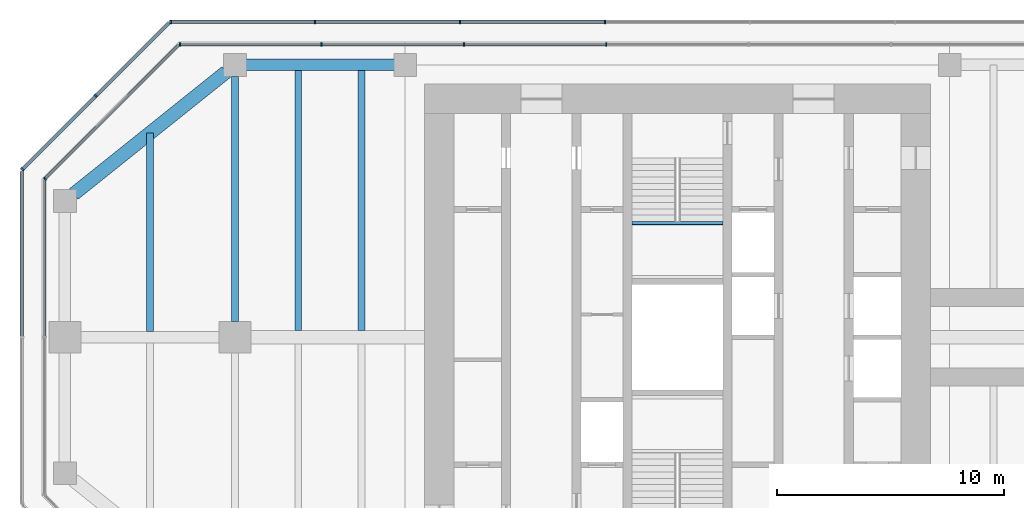
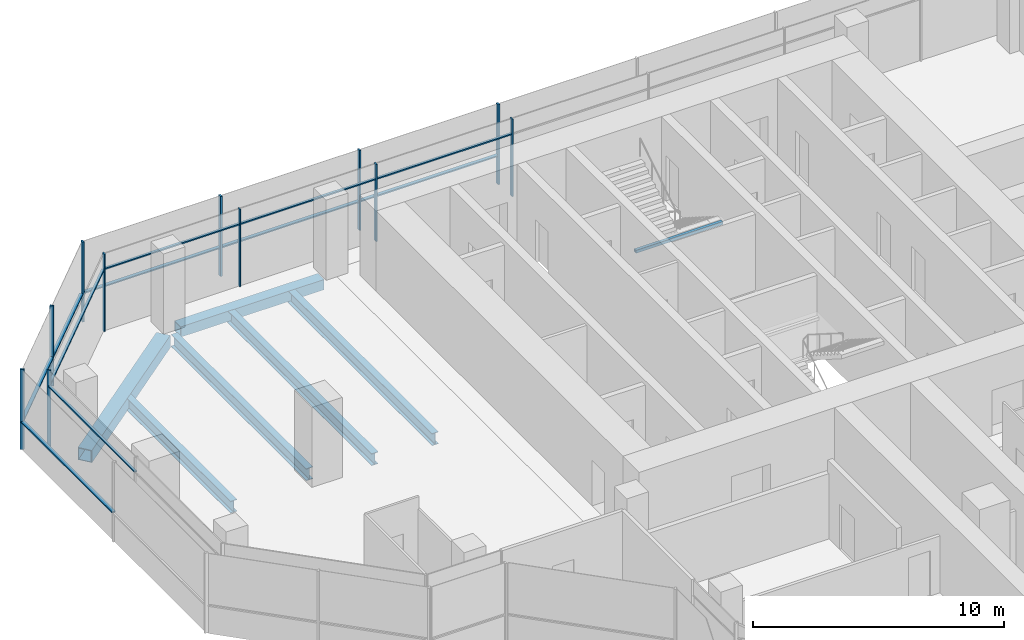
# One storey, part 6 of 15: 22 members, 7 beams, 6 elements without a shape of their own.
"""IFC4 building model written with IfcOpenShell, lengths in metres."""

from ifc_helpers import new_model, si_unit, direction, frame, origin, origin_2d, place, context, subcontext, project, spatial, rectangle, hollow_rectangle, i_section, extrude, material, material_profile, profile_set, type_object, element, aggregate, save


model = new_model("IFC4")

# Units and contexts
model_context = context("Model", 3, precision=1e-05, world=origin(), true_north=direction((0.0, 1.0)))
body_context = subcontext(model_context, "Body", "Model", "MODEL_VIEW")
ifc_project = project(units=[si_unit("LENGTHUNIT", "METRE"), si_unit("AREAUNIT", "SQUARE_METRE"), si_unit("VOLUMEUNIT", "CUBIC_METRE"), si_unit("PLANEANGLEUNIT", "RADIAN"), si_unit("MASSUNIT", "GRAM", prefix="KILO")], contexts=[model_context])

# Site, building, storey
site_placement = place(None, origin())
site = spatial("IfcSite", under=ifc_project, at=site_placement, CompositionType="ELEMENT")
building_placement = place(site_placement, origin())
building = spatial("IfcBuilding", under=site, at=building_placement, Name="Mizan Broadcast Tower", CompositionType="ELEMENT")
storey_placement = place(building_placement, frame((0.0, 0.0, 279.0)))
storey = spatial("IfcBuildingStorey", under=building, at=storey_placement, Name="L66", CompositionType="ELEMENT", Elevation=279.0)

# Beams
ifc_material_1 = material(Name="Steel S355", Category="steel")
ifc_material_profile_1 = material_profile(ifc_material_1, hollow_rectangle(XDim=0.5, YDim=0.5, WallThickness=0.030029296875, at=origin_2d()), Name="BOX 500x500x30")
ifc_profile_set_1 = profile_set([ifc_material_profile_1], Name="Steel S355")
beam_type_1 = type_object("IfcBeamType", Name="EDGE BEAM BOX 500x500x30", PredefinedType="SPANDREL", material=ifc_profile_set_1)
beam_1_placement = place(storey_placement, frame((-12.449951171875, 12.0, -0.3798828125), z_axis=(-1.0, 0.0, 0.0), x_axis=(0.0, -1.0, 0.0)))
element("IfcBeam", 1, at=beam_1_placement, inside=storey, type_object=beam_type_1, Name="Edge beam BOX 500x500x30 L66 west arm", PredefinedType="SPANDREL", context=body_context, shape_type="SweptSolid", body=[
    extrude(hollow_rectangle(XDim=0.5, YDim=0.5, WallThickness=0.030029296875, at=origin_2d()), origin(), (0.0, 0.0, 1.0), 6.60009765625),
])
ifc_material_2 = material(Name="Steel S355", Category="steel")
ifc_material_profile_2 = material_profile(ifc_material_2, hollow_rectangle(XDim=0.60009765625, YDim=0.60009765625, WallThickness=0.030029296875, at=origin_2d()), Name="BOX 600x600x30")
ifc_profile_set_2 = profile_set([ifc_material_profile_2], Name="Steel S355")
beam_type_2 = type_object("IfcBeamType", Name="EDGE BEAM BOX 600x600x30", PredefinedType="SPANDREL", material=ifc_profile_set_2)
beam_2_placement = place(storey_placement, frame((-19.890380859375, 11.687744140625, -0.429931640625), z_axis=(-0.780863273348, -0.62470196761, 0.0), x_axis=(0.62470196761, -0.780863273348, 0.0)))
element("IfcBeam", 2, at=beam_2_placement, inside=storey, type_object=beam_type_2, Name="Edge beam BOX 600x600x30 L66 west arm", PredefinedType="SPANDREL", context=body_context, shape_type="SweptSolid", body=[
    extrude(hollow_rectangle(XDim=0.60009765625, YDim=0.60009765625, WallThickness=0.030029296875, at=origin_2d()), origin(), (0.0, 0.0, 1.0), 8.60498046875),
])
ifc_material_3 = material(Name="Steel S355", Category="steel")
ifc_material_profile_3 = material_profile(ifc_material_3, i_section(OverallWidth=0.300048828125, OverallDepth=0.590087890625, WebThickness=0.012939453125, FlangeThickness=0.02490234375, FilletRadius=0.027099609375, at=origin_2d()), Name="HEA 600")
ifc_profile_set_3 = profile_set([ifc_material_profile_3], Name="Steel S355")
beam_type_3 = type_object("IfcBeamType", Name="GIRDER HEA 600", PredefinedType="BEAM", material=ifc_profile_set_3)
beam_3_placement = place(storey_placement, frame((-19.5, 11.5, -0.425048828125), z_axis=(0.0, -1.0, 0.0), x_axis=(1.0, 0.0, 0.0)))
element("IfcBeam", 3, at=beam_3_placement, inside=storey, type_object=beam_type_3, Name="Girder HEA 600 L66 west arm", PredefinedType="BEAM", context=body_context, shape_type="SweptSolid", body=[
    extrude(i_section(OverallWidth=0.300048828125, OverallDepth=0.590087890625, WebThickness=0.012939453125, FlangeThickness=0.02490234375, FilletRadius=0.027099609375, at=origin_2d()), origin(), (0.0, 0.0, 1.0), 10.800048828125),
])

# Curtain wall, members
ifc_material_4 = material(Name="Aluminium framed glazing", Category="aluminium")
curtain_wall_type_1 = type_object("IfcCurtainWallType", Name="INNER SKIN TOP ZONE", PredefinedType="USERDEFINED", material=ifc_material_4)
curtain_wall_1_placement = place(storey_placement, origin())
curtain_wall_1 = element("IfcCurtainWall", 4, at=curtain_wall_1_placement, inside=storey, type_object=curtain_wall_type_1, Name="Inner skin top zone L66 N end", ObjectType="INNER SKIN TOP ZONE", PredefinedType="USERDEFINED")
ifc_material_5 = material(Name="Aluminium, pale anodised", Category="aluminium")
ifc_material_profile_4 = material_profile(ifc_material_5, rectangle(XDim=0.159912109375, YDim=0.06005859375, at=origin_2d()), Name="MULLION 160x60")
ifc_profile_set_4 = profile_set([ifc_material_profile_4], Name="Aluminium, pale anodised")
member_type_1 = type_object("IfcMemberType", Name="INNER SKIN MULLION 60x160", PredefinedType="MULLION", material=ifc_profile_set_4)
member_1_placement = place(storey_placement, frame((-3.136962890625, 12.89990234375, 0.0), z_axis=(0.0, 0.0, 1.0), x_axis=(0.0, -1.0, 0.0)))
member_1 = element("IfcMember", 5, at=member_1_placement, type_object=member_type_1, Name="Inner skin top zone L66 N end mullion 5", PredefinedType="MULLION", context=body_context, shape_type="SweptSolid", body=[
    extrude(rectangle(XDim=0.159912109375, YDim=0.06005859375, at=origin_2d()), origin(), (0.0, 0.0, 1.0), 3.77001953125),
])
member_2_placement = place(storey_placement, frame((-9.410888671875, 12.89990234375, 0.0), z_axis=(0.0, 0.0, 1.0), x_axis=(0.0, -1.0, 0.0)))
member_2 = element("IfcMember", 6, at=member_2_placement, type_object=member_type_1, Name="Inner skin top zone L66 N end mullion 6", PredefinedType="MULLION", context=body_context, shape_type="SweptSolid", body=[
    extrude(rectangle(XDim=0.159912109375, YDim=0.06005859375, at=origin_2d()), origin(), (0.0, 0.0, 1.0), 3.77001953125),
])
member_3_placement = place(storey_placement, frame((-15.684814453125, 12.89990234375, 0.0), z_axis=(0.0, 0.0, 1.0), x_axis=(0.0, -1.0, 0.0)))
member_3 = element("IfcMember", 7, at=member_3_placement, type_object=member_type_1, Name="Inner skin top zone L66 N end mullion 7", PredefinedType="MULLION", context=body_context, shape_type="SweptSolid", body=[
    extrude(rectangle(XDim=0.159912109375, YDim=0.06005859375, at=origin_2d()), origin(), (0.0, 0.0, 1.0), 3.77001953125),
])
member_4_placement = place(storey_placement, frame((-21.928466796875, 12.89990234375, 0.0), z_axis=(0.0, 0.0, 1.0), x_axis=(0.0, -1.0, 0.0)))
member_4 = element("IfcMember", 8, at=member_4_placement, type_object=member_type_1, Name="Inner skin top zone L66 N end mullion 8", PredefinedType="MULLION", context=body_context, shape_type="SweptSolid", body=[
    extrude(rectangle(XDim=0.159912109375, YDim=0.06005859375, at=origin_2d()), origin(), (0.0, 0.0, 1.0), 3.77001953125),
])

# Curtain wall, member
curtain_wall_2_placement = place(storey_placement, origin())
curtain_wall_2 = element("IfcCurtainWall", 9, at=curtain_wall_2_placement, inside=storey, type_object=curtain_wall_type_1, Name="Inner skin top zone L66 W chamfer", ObjectType="INNER SKIN TOP ZONE", PredefinedType="USERDEFINED")
member_5_placement = place(storey_placement, frame((-27.87890625, 6.979736328125, 0.0), z_axis=(0.0, 0.0, 1.0), x_axis=(0.707106781187, -0.707106781187, 0.0)))
member_5 = element("IfcMember", 10, at=member_5_placement, type_object=member_type_1, Name="Inner skin top zone L66 W chamfer mullion 2", PredefinedType="MULLION", context=body_context, shape_type="SweptSolid", body=[
    extrude(rectangle(XDim=0.159912109375, YDim=0.06005859375, at=origin_2d()), origin(), (0.0, 0.0, 1.0), 3.77001953125),
])

# Member
ifc_material_6 = material(Name="Aluminium, pale anodised", Category="aluminium")
ifc_material_profile_5 = material_profile(ifc_material_6, rectangle(XDim=0.1201171875, YDim=0.06005859375, at=origin_2d()), Name="TRANSOM 120x60")
ifc_profile_set_5 = profile_set([ifc_material_profile_5], Name="Aluminium, pale anodised")
member_type_2 = type_object("IfcMemberType", Name="INNER SKIN TRANSOM 60x120", PredefinedType="USERDEFINED", material=ifc_profile_set_5)
member_6_placement = place(storey_placement, frame((-3.1669921875, 12.89990234375, 3.030029296875), z_axis=(-1.0, 0.0, 0.0), x_axis=(0.0, -1.0, 0.0)))
member_6 = element("IfcMember", 11, at=member_6_placement, type_object=member_type_2, Name="Inner skin top zone L66 N end transom 5.1", ObjectType="TRANSOM", PredefinedType="USERDEFINED", context=body_context, shape_type="SweptSolid", body=[
    extrude(rectangle(XDim=0.1201171875, YDim=0.06005859375, at=origin_2d()), origin(), (0.0, 0.0, 1.0), 6.2138671875),
])

member_7_placement = place(storey_placement, frame((-9.44091796875, 12.89990234375, 3.030029296875), z_axis=(-1.0, 0.0, 0.0), x_axis=(0.0, -1.0, 0.0)))
member_7 = element("IfcMember", 12, at=member_7_placement, type_object=member_type_2, Name="Inner skin top zone L66 N end transom 6.1", ObjectType="TRANSOM", PredefinedType="USERDEFINED", context=body_context, shape_type="SweptSolid", body=[
    extrude(rectangle(XDim=0.1201171875, YDim=0.06005859375, at=origin_2d()), origin(), (0.0, 0.0, 1.0), 6.2138671875),
])

member_8_placement = place(storey_placement, frame((-15.714599609375, 12.89990234375, 3.030029296875), z_axis=(-1.0, 0.0, 0.0), x_axis=(0.0, -1.0, 0.0)))
member_8 = element("IfcMember", 13, at=member_8_placement, type_object=member_type_2, Name="Inner skin top zone L66 N end transom 7.1", ObjectType="TRANSOM", PredefinedType="USERDEFINED", context=body_context, shape_type="SweptSolid", body=[
    extrude(rectangle(XDim=0.1201171875, YDim=0.06005859375, at=origin_2d()), origin(), (0.0, 0.0, 1.0), 6.18408203125),
])

aggregate(curtain_wall_1, [member_1, member_2, member_3, member_4, member_6, member_7, member_8])

member_9_placement = place(storey_placement, frame((-22.0009765625, 12.857666015625, 3.030029296875), z_axis=(-0.707106781187, -0.707106781187, 0.0), x_axis=(0.707106781187, -0.707106781187, 0.0)))
member_9 = element("IfcMember", 14, at=member_9_placement, type_object=member_type_2, Name="Inner skin top zone L66 W chamfer transom 1.1", ObjectType="TRANSOM", PredefinedType="USERDEFINED", context=body_context, shape_type="SweptSolid", body=[
    extrude(rectangle(XDim=0.1201171875, YDim=0.06005859375, at=origin_2d()), origin(), (0.0, 0.0, 1.0), 8.28271484375),
])

aggregate(curtain_wall_2, [member_5, member_9])

# Curtain wall, member
curtain_wall_3_placement = place(storey_placement, origin())
curtain_wall_3 = element("IfcCurtainWall", 15, at=curtain_wall_3_placement, inside=storey, type_object=curtain_wall_type_1, Name="Inner skin top zone L66 W end", ObjectType="INNER SKIN TOP ZONE", PredefinedType="USERDEFINED")
member_10_placement = place(storey_placement, frame((-27.89990234375, 6.898681640625, 3.030029296875), z_axis=(0.0, -1.0, 0.0), x_axis=(1.0, 0.0, 0.0)))
member_10 = element("IfcMember", 16, at=member_10_placement, type_object=member_type_2, Name="Inner skin top zone L66 W end transom 1.1", ObjectType="TRANSOM", PredefinedType="USERDEFINED", context=body_context, shape_type="SweptSolid", body=[
    extrude(rectangle(XDim=0.1201171875, YDim=0.06005859375, at=origin_2d()), origin(), (0.0, 0.0, 1.0), 6.86865234375),
])
aggregate(curtain_wall_3, [member_10])

# Beam
ifc_material_7 = material(Name="Steel S355", Category="steel")
ifc_material_profile_6 = material_profile(ifc_material_7, hollow_rectangle(XDim=0.14990234375, YDim=0.14990234375, WallThickness=0.008056640625, InnerFilletRadius=0.008056640625, OuterFilletRadius=0.011962890625, at=origin_2d()), Name="SHS 150x150x8")
ifc_profile_set_6 = profile_set([ifc_material_profile_6], Name="Steel S355")
beam_type_4 = type_object("IfcBeamType", Name="LANDING TRIMMER SHS 150x150x8", PredefinedType="BEAM", material=ifc_profile_set_6)
beam_4_placement = place(storey_placement, frame((2.0, 5.02490234375, 1.675048828125), z_axis=(-1.0, 0.0, 0.0), x_axis=(0.0, -1.0, 0.0)))
element("IfcBeam", 17, at=beam_4_placement, inside=storey, type_object=beam_type_4, Name="Stair B landing trimmer L66", PredefinedType="BEAM", context=body_context, shape_type="SweptSolid", body=[
    extrude(hollow_rectangle(XDim=0.14990234375, YDim=0.14990234375, WallThickness=0.008056640625, InnerFilletRadius=0.008056640625, OuterFilletRadius=0.011962890625, at=origin_2d()), origin(), (0.0, 0.0, 1.0), 4.0),
])

# Curtain wall, members
ifc_material_8 = material(Name="Aluminium framed glazing", Category="aluminium")
curtain_wall_type_2 = type_object("IfcCurtainWallType", Name="OUTER SKIN", PredefinedType="USERDEFINED", material=ifc_material_8)
curtain_wall_4_placement = place(storey_placement, origin())
curtain_wall_4 = element("IfcCurtainWall", 18, at=curtain_wall_4_placement, inside=storey, type_object=curtain_wall_type_2, Name="Outer skin L66 N end", ObjectType="OUTER SKIN", PredefinedType="USERDEFINED")
ifc_material_9 = material(Name="Aluminium, pale anodised", Category="aluminium")
ifc_material_profile_7 = material_profile(ifc_material_9, rectangle(XDim=0.159912109375, YDim=0.080078125, at=origin_2d()), Name="MULLION 160x80")
ifc_profile_set_7 = profile_set([ifc_material_profile_7], Name="Aluminium, pale anodised")
member_type_3 = type_object("IfcMemberType", Name="OUTER SKIN MULLION 80x160", PredefinedType="MULLION", material=ifc_profile_set_7)
member_11_placement = place(storey_placement, frame((-3.196044921875, 13.89990234375, 0.0), z_axis=(0.0, 0.0, 1.0), x_axis=(0.0, -1.0, 0.0)))
member_11 = element("IfcMember", 19, at=member_11_placement, type_object=member_type_3, Name="Outer skin L66 N end mullion 5", PredefinedType="MULLION", context=body_context, shape_type="SweptSolid", body=[
    extrude(rectangle(XDim=0.159912109375, YDim=0.080078125, at=origin_2d()), origin(), (0.0, 0.0, 1.0), 3.89990234375),
])
member_12_placement = place(storey_placement, frame((-9.58837890625, 13.89990234375, 0.0), z_axis=(0.0, 0.0, 1.0), x_axis=(0.0, -1.0, 0.0)))
member_12 = element("IfcMember", 20, at=member_12_placement, type_object=member_type_3, Name="Outer skin L66 N end mullion 6", PredefinedType="MULLION", context=body_context, shape_type="SweptSolid", body=[
    extrude(rectangle(XDim=0.159912109375, YDim=0.080078125, at=origin_2d()), origin(), (0.0, 0.0, 1.0), 3.89990234375),
])
member_13_placement = place(storey_placement, frame((-15.98046875, 13.89990234375, 0.0), z_axis=(0.0, 0.0, 1.0), x_axis=(0.0, -1.0, 0.0)))
member_13 = element("IfcMember", 21, at=member_13_placement, type_object=member_type_3, Name="Outer skin L66 N end mullion 7", PredefinedType="MULLION", context=body_context, shape_type="SweptSolid", body=[
    extrude(rectangle(XDim=0.159912109375, YDim=0.080078125, at=origin_2d()), origin(), (0.0, 0.0, 1.0), 3.89990234375),
])
member_14_placement = place(storey_placement, frame((-22.332763671875, 13.89990234375, 0.0), z_axis=(0.0, 0.0, 1.0), x_axis=(0.0, -1.0, 0.0)))
member_14 = element("IfcMember", 22, at=member_14_placement, type_object=member_type_3, Name="Outer skin L66 N end mullion 8", PredefinedType="MULLION", context=body_context, shape_type="SweptSolid", body=[
    extrude(rectangle(XDim=0.159912109375, YDim=0.080078125, at=origin_2d()), origin(), (0.0, 0.0, 1.0), 3.89990234375),
])

curtain_wall_5_placement = place(storey_placement, origin())
curtain_wall_5 = element("IfcCurtainWall", 23, at=curtain_wall_5_placement, inside=storey, type_object=curtain_wall_type_2, Name="Outer skin L66 W chamfer", ObjectType="OUTER SKIN", PredefinedType="USERDEFINED")
member_15_placement = place(storey_placement, frame((-25.636474609375, 10.636474609375, 0.0), z_axis=(0.0, 0.0, 1.0), x_axis=(0.707106781187, -0.707106781187, 0.0)))
member_15 = element("IfcMember", 24, at=member_15_placement, type_object=member_type_3, Name="Outer skin L66 W chamfer mullion 2", PredefinedType="MULLION", context=body_context, shape_type="SweptSolid", body=[
    extrude(rectangle(XDim=0.159912109375, YDim=0.080078125, at=origin_2d()), origin(), (0.0, 0.0, 1.0), 3.89990234375),
])
member_16_placement = place(storey_placement, frame((-28.871826171875, 7.401123046875, 0.0), z_axis=(0.0, 0.0, 1.0), x_axis=(0.707106781187, -0.707106781187, 0.0)))
member_16 = element("IfcMember", 25, at=member_16_placement, type_object=member_type_3, Name="Outer skin L66 W chamfer mullion 3", PredefinedType="MULLION", context=body_context, shape_type="SweptSolid", body=[
    extrude(rectangle(XDim=0.159912109375, YDim=0.080078125, at=origin_2d()), origin(), (0.0, 0.0, 1.0), 3.89990234375),
])

# Member
ifc_material_10 = material(Name="Aluminium, pale anodised", Category="aluminium")
ifc_material_profile_8 = material_profile(ifc_material_10, rectangle(XDim=0.159912109375, YDim=0.06005859375, at=origin_2d()), Name="TRANSOM 160x60")
ifc_profile_set_8 = profile_set([ifc_material_profile_8], Name="Aluminium, pale anodised")
member_type_4 = type_object("IfcMemberType", Name="OUTER SKIN TRANSOM 60x160", PredefinedType="USERDEFINED", material=ifc_profile_set_8)
member_17_placement = place(storey_placement, frame((-3.236083984375, 13.89990234375, 1.39990234375), z_axis=(-1.0, 0.0, 0.0), x_axis=(0.0, -1.0, 0.0)))
member_17 = element("IfcMember", 26, at=member_17_placement, type_object=member_type_4, Name="Outer skin L66 N end transom 5.1", ObjectType="TRANSOM", PredefinedType="USERDEFINED", context=body_context, shape_type="SweptSolid", body=[
    extrude(rectangle(XDim=0.159912109375, YDim=0.06005859375, at=origin_2d()), origin(), (0.0, 0.0, 1.0), 6.312255859375),
])

member_18_placement = place(storey_placement, frame((-9.62841796875, 13.89990234375, 1.39990234375), z_axis=(-1.0, 0.0, 0.0), x_axis=(0.0, -1.0, 0.0)))
member_18 = element("IfcMember", 27, at=member_18_placement, type_object=member_type_4, Name="Outer skin L66 N end transom 6.1", ObjectType="TRANSOM", PredefinedType="USERDEFINED", context=body_context, shape_type="SweptSolid", body=[
    extrude(rectangle(XDim=0.159912109375, YDim=0.06005859375, at=origin_2d()), origin(), (0.0, 0.0, 1.0), 6.312255859375),
])

member_19_placement = place(storey_placement, frame((-16.0205078125, 13.89990234375, 1.39990234375), z_axis=(-1.0, 0.0, 0.0), x_axis=(0.0, -1.0, 0.0)))
member_19 = element("IfcMember", 28, at=member_19_placement, type_object=member_type_4, Name="Outer skin L66 N end transom 7.1", ObjectType="TRANSOM", PredefinedType="USERDEFINED", context=body_context, shape_type="SweptSolid", body=[
    extrude(rectangle(XDim=0.159912109375, YDim=0.06005859375, at=origin_2d()), origin(), (0.0, 0.0, 1.0), 6.272216796875),
])

aggregate(curtain_wall_4, [member_11, member_12, member_13, member_14, member_17, member_18, member_19])

member_20_placement = place(storey_placement, frame((-22.429443359375, 13.843505859375, 1.39990234375), z_axis=(-0.707106781187, -0.707106781187, 0.0), x_axis=(0.707106781187, -0.707106781187, 0.0)))
member_20 = element("IfcMember", 29, at=member_20_placement, type_object=member_type_4, Name="Outer skin L66 W chamfer transom 1.1", ObjectType="TRANSOM", PredefinedType="USERDEFINED", context=body_context, shape_type="SweptSolid", body=[
    extrude(rectangle(XDim=0.159912109375, YDim=0.06005859375, at=origin_2d()), origin(), (0.0, 0.0, 1.0), 4.495361328125),
])

member_21_placement = place(storey_placement, frame((-25.664794921875, 10.608154296875, 1.39990234375), z_axis=(-0.707106781187, -0.707106781187, 0.0), x_axis=(0.707106781187, -0.707106781187, 0.0)))
member_21 = element("IfcMember", 30, at=member_21_placement, type_object=member_type_4, Name="Outer skin L66 W chamfer transom 2.1", ObjectType="TRANSOM", PredefinedType="USERDEFINED", context=body_context, shape_type="SweptSolid", body=[
    extrude(rectangle(XDim=0.159912109375, YDim=0.06005859375, at=origin_2d()), origin(), (0.0, 0.0, 1.0), 4.495361328125),
])

aggregate(curtain_wall_5, [member_15, member_16, member_20, member_21])

# Curtain wall, member
curtain_wall_6_placement = place(storey_placement, origin())
curtain_wall_6 = element("IfcCurtainWall", 31, at=curtain_wall_6_placement, inside=storey, type_object=curtain_wall_type_2, Name="Outer skin L66 W end", ObjectType="OUTER SKIN", PredefinedType="USERDEFINED")
member_22_placement = place(storey_placement, frame((-28.89990234375, 7.292724609375, 1.39990234375), z_axis=(0.0, -1.0, 0.0), x_axis=(1.0, 0.0, 0.0)))
member_22 = element("IfcMember", 32, at=member_22_placement, type_object=member_type_4, Name="Outer skin L66 W end transom 1.1", ObjectType="TRANSOM", PredefinedType="USERDEFINED", context=body_context, shape_type="SweptSolid", body=[
    extrude(rectangle(XDim=0.159912109375, YDim=0.06005859375, at=origin_2d()), origin(), (0.0, 0.0, 1.0), 7.252685546875),
])
aggregate(curtain_wall_6, [member_22])

# Beams
ifc_material_11 = material(Name="Steel S355", Category="steel")
ifc_material_profile_9 = material_profile(ifc_material_11, i_section(OverallWidth=0.300048828125, OverallDepth=0.590087890625, WebThickness=0.012939453125, FlangeThickness=0.02490234375, FilletRadius=0.027099609375, at=origin_2d()), Name="HEA 600")
ifc_profile_set_9 = profile_set([ifc_material_profile_9], Name="Steel S355")
beam_type_5 = type_object("IfcBeamType", Name="SECONDARY BEAM HEA 600", PredefinedType="JOIST", material=ifc_profile_set_9)
for number, where, z_axis, x_axis, name in (
    (33, (-13.933349609375, 12.0, -0.425048828125), (0.0, -1.0, 0.0), (1.0, 0.0, 0.0), "Secondary beam HEA 600 L66 west arm"),
    (34, (-16.716552734375, 12.0, -0.425048828125), (0.0, -1.0, 0.0), (1.0, 0.0, 0.0), "Secondary beam HEA 600 L66 west arm"),
):
    element("IfcBeam", number, at=place(storey_placement, frame(where, z_axis=z_axis, x_axis=x_axis)), inside=storey, type_object=beam_type_5, Name=name, PredefinedType="JOIST", context=body_context, shape_type="SweptSolid", body=[
        extrude(i_section(OverallWidth=0.300048828125, OverallDepth=0.590087890625, WebThickness=0.012939453125, FlangeThickness=0.02490234375, FilletRadius=0.027099609375, at=origin_2d()), origin(), (0.0, 0.0, 1.0), 11.699951171875),
    ])
beam_5_placement = place(storey_placement, frame((-23.25, 9.0, -0.425048828125), z_axis=(0.0, -1.0, 0.0), x_axis=(1.0, 0.0, 0.0)))
element("IfcBeam", 35, at=beam_5_placement, inside=storey, type_object=beam_type_5, Name="Secondary beam HEA 600 L66 west arm", PredefinedType="JOIST", context=body_context, shape_type="SweptSolid", body=[
    extrude(i_section(OverallWidth=0.300048828125, OverallDepth=0.590087890625, WebThickness=0.012939453125, FlangeThickness=0.02490234375, FilletRadius=0.027099609375, at=origin_2d()), origin(), (0.0, 0.0, 1.0), 8.75),
])

save(model, "model.ifc")
